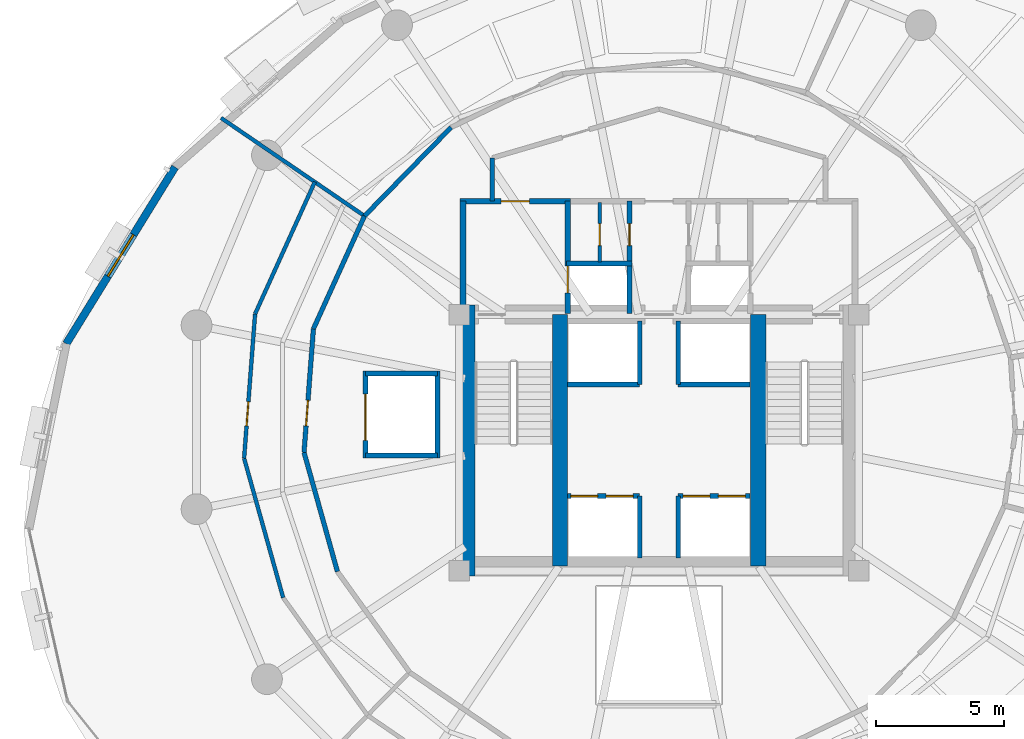
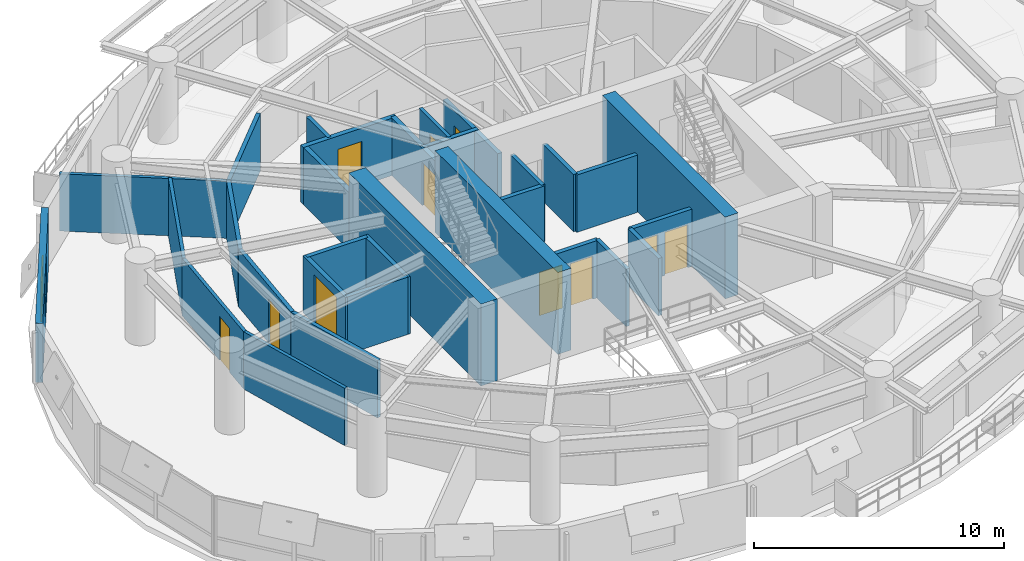
# One storey, part 10 of 15: 31 walls, 11 doors, 1 window, 12 openings.
"""IFC4 building model written with IfcOpenShell, lengths in metres."""

import ifcopenshell
import ifcopenshell.guid

model = None  # the IFC model being written
_history = None  # IfcOwnerHistory: only IFC2X3 demands one
_inside = {}  # id of a spatial element -> (the spatial element, [elements in it])
_under = {}  # id of a project, library or spatial element -> (it, [spatial elements below it])
_declared = {}  # id of a project -> (the project, [libraries it declares])
_typed = {}  # id of a type object -> (the type object, [elements of that type])
_made_of = {}  # id of a material, layer set ... -> (it, [elements and type objects made of it])


def new_model(schema):
    """Start an empty IFC model of exactly this schema.

    Asked for "IFC4X3", IfcOpenShell would pick the latest addendum, in which some entities
    have other attributes; the version numbers below select the first issue.
    IFC2X3 requires an IfcOwnerHistory on every rooted entity: one is made here for all.
    """
    global model, _history
    if schema == "IFC4X3":
        model = ifcopenshell.file(schema_version=(4, 3, 0, 0))
    else:
        model = ifcopenshell.file(schema=schema)
    _inside.clear()
    _under.clear()
    _declared.clear()
    _typed.clear()
    _made_of.clear()
    _history = None
    if model.schema == "IFC2X3":
        org = make("IfcOrganization", Name="unknown")
        user = make(
            "IfcPersonAndOrganization",
            ThePerson=make("IfcPerson", FamilyName="unknown"),
            TheOrganization=org,
        )
        app = make(
            "IfcApplication",
            ApplicationDeveloper=org,
            Version="unknown",
            ApplicationFullName="unknown",
            ApplicationIdentifier="unknown",
        )
        _history = make(
            "IfcOwnerHistory",
            OwningUser=user,
            OwningApplication=app,
            ChangeAction="ADDED",
            CreationDate=0,
        )
    return model


def make(cls, **values):
    """One entity of the class cls with the attributes given. An attribute that is None is left unset."""
    return model.create_entity(
        cls, **{name: value for name, value in values.items() if value is not None}
    )


def rooted(cls, **values):
    """An entity with a GlobalId (a new one), such as an element, a storey or a relation."""
    return make(cls, GlobalId=ifcopenshell.guid.new(), OwnerHistory=_history, **values)


def si_unit(unit_type, name, prefix=None):
    """IfcSIUnit, for example si_unit("LENGTHUNIT", "METRE", prefix="MILLI")."""
    return make("IfcSIUnit", UnitType=unit_type, Prefix=prefix, Name=name)


def assignment(units):
    """IfcUnitAssignment: the units of a project."""
    return None if units is None else make("IfcUnitAssignment", Units=units)


def point(xyz):
    """IfcCartesianPoint."""
    return None if xyz is None else make("IfcCartesianPoint", Coordinates=xyz)


def direction(xyz):
    """IfcDirection."""
    return None if xyz is None else make("IfcDirection", DirectionRatios=xyz)


def frame(location, z_axis=None, x_axis=None):
    """IfcAxis2Placement3D, a coordinate frame: its origin and axes. An axis left out is left unset."""
    return make(
        "IfcAxis2Placement3D",
        Location=point(location),
        Axis=direction(z_axis),
        RefDirection=direction(x_axis),
    )


def frame_2d(location, x_axis=None):
    """IfcAxis2Placement2D, a coordinate frame in the plane: its origin and x axis."""
    return make(
        "IfcAxis2Placement2D", Location=point(location), RefDirection=direction(x_axis)
    )


def origin():
    """The frame at (0, 0, 0) with its axes left unset."""
    return frame((0.0, 0.0, 0.0))


def place(relative_to, where):
    """IfcLocalPlacement: puts the frame where relative to a parent placement (None: the world)."""
    return make(
        "IfcLocalPlacement", PlacementRelTo=relative_to, RelativePlacement=where
    )


def context(
    kind, dimensions, precision=None, world=None, true_north=None, identifier=None
):
    """IfcGeometricRepresentationContext, for example the 3D "Model" context."""
    return make(
        "IfcGeometricRepresentationContext",
        ContextIdentifier=identifier,
        ContextType=kind,
        CoordinateSpaceDimension=dimensions,
        Precision=precision,
        WorldCoordinateSystem=world,
        TrueNorth=true_north,
    )


def subcontext(parent, identifier, kind, view, scale=None):
    """IfcGeometricRepresentationSubContext, for example "Body" below "Model"."""
    return make(
        "IfcGeometricRepresentationSubContext",
        ContextIdentifier=identifier,
        ContextType=kind,
        ParentContext=parent,
        TargetScale=scale,
        TargetView=view,
    )


def project(units=None, contexts=None):
    """IfcProject with its units and contexts."""
    return rooted(
        "IfcProject",
        Name="project",
        RepresentationContexts=contexts,
        UnitsInContext=assignment(units),
    )


def spatial(cls, under=None, at=None, **own):
    """A site, building, storey or space (cls), placed at a placement, below another one or the project."""
    s = rooted(cls, ObjectPlacement=at, **own)
    if under is not None:
        _under.setdefault(under.id(), (under, []))[1].append(s)
    return s


def profile(cls, at=None, kind="AREA", **sizes):
    """A parametric profile (cls). Its sizes go by their IFC names, for example OverallWidth=200.0."""
    return make(cls, ProfileType=kind, Position=at, **sizes)


def rectangle(**sizes):
    """IfcRectangleProfileDef."""
    return profile("IfcRectangleProfileDef", **sizes)


def extrude(swept, where, along, depth):
    """IfcExtrudedAreaSolid: the profile swept, set in the frame where, extruded along a direction by depth."""
    return make(
        "IfcExtrudedAreaSolid",
        SweptArea=swept,
        Position=where,
        ExtrudedDirection=direction(along),
        Depth=depth,
    )


def shape(context_of_items, identifier, shape_type, items):
    """IfcShapeRepresentation: the items that make up one representation, for example the "Body"."""
    return make(
        "IfcShapeRepresentation",
        ContextOfItems=context_of_items,
        RepresentationIdentifier=identifier,
        RepresentationType=shape_type,
        Items=items,
    )


def material(Name=None, Category=None):
    """IfcMaterial."""
    return make("IfcMaterial", Name=Name, Category=Category)


def layer(
    of_material, thickness, ventilated=None, Name=None, Category=None, Priority=None
):
    """IfcMaterialLayer: one layer of a wall or slab, of a material (None: an air gap)."""
    return make(
        "IfcMaterialLayer",
        Material=of_material,
        LayerThickness=thickness,
        IsVentilated=ventilated,
        Name=Name,
        Category=Category,
        Priority=Priority,
    )


def layer_set(layers, Name=None):
    """IfcMaterialLayerSet."""
    return make("IfcMaterialLayerSet", MaterialLayers=layers, LayerSetName=Name)


def made_of(thing, what):
    """Note that an element or type object is made of a material, layer set ...; save() writes the relation."""
    if what is not None:
        _made_of.setdefault(what.id(), (what, []))[1].append(thing)
    return thing


def type_object(cls, material=None, **own):
    """A type object (cls), such as IfcWallType, which elements share."""
    return made_of(rooted(cls, **own), material)


def element(
    cls,
    number,
    at=None,
    inside=None,
    cuts=None,
    type_object=None,
    material=None,
    context=None,
    identifier="Body",
    shape_type=None,
    held_by="IfcProductDefinitionShape",
    body=None,
    shapes=None,
    **own,
):
    """One element of the class cls, such as IfcWall. Its Tag is "e" and its number.

    at: its placement. inside: the storey or other place that contains it. cuts: it is an
    opening in that element (IfcRelVoidsElement). A single representation is given by context,
    identifier, shape_type and body (its items); several are given by shapes. held_by: the class
    of the entity that holds the representations. save() writes the other relations.
    """
    e = rooted(cls, Tag="e%d" % number, ObjectPlacement=at, **own)
    if body is not None:
        shapes = [shape(context, identifier, shape_type, body)]
    if shapes is not None:
        e.Representation = make(held_by, Representations=shapes)
    if inside is not None:
        _inside.setdefault(inside.id(), (inside, []))[1].append(e)
    if cuts is not None:
        rooted(
            "IfcRelVoidsElement", RelatingBuildingElement=cuts, RelatedOpeningElement=e
        )
    if type_object is not None:
        _typed.setdefault(type_object.id(), (type_object, []))[1].append(e)
    return made_of(e, material)


def fill(opening, filler):
    """IfcRelFillsElement: the door or window that sits in an opening."""
    return rooted(
        "IfcRelFillsElement",
        RelatingOpeningElement=opening,
        RelatedBuildingElement=filler,
    )


def aggregate(whole, parts):
    """IfcRelAggregates: a whole, such as a stair, and the parts it consists of."""
    return rooted("IfcRelAggregates", RelatingObject=whole, RelatedObjects=parts)


def save(model, path):
    """Write the relations noted so far, then the file.

    IfcRelAggregates (storeys below a building ...), IfcRelContainedInSpatialStructure (elements
    in a storey), IfcRelDefinesByType, IfcRelAssociatesMaterial and IfcRelDeclares: one each for
    every whole, place, type object, material and project.
    """
    for whole, parts in _under.values():
        aggregate(whole, parts)
    for where, things in _inside.values():
        rooted(
            "IfcRelContainedInSpatialStructure",
            RelatedElements=things,
            RelatingStructure=where,
        )
    for kind, things in _typed.values():
        rooted("IfcRelDefinesByType", RelatedObjects=things, RelatingType=kind)
    for what, things in _made_of.values():
        rooted("IfcRelAssociatesMaterial", RelatedObjects=things, RelatingMaterial=what)
    for by, libraries in _declared.values():
        rooted("IfcRelDeclares", RelatingContext=by, RelatedDefinitions=libraries)
    model.write(path)


model = new_model("IFC4")

# Units and contexts
model_context = context("Model", 3, precision=1e-05, world=origin(), true_north=direction((0.0, 1.0)))
body_context = subcontext(model_context, "Body", "Model", "MODEL_VIEW")
ifc_project = project(units=[si_unit("LENGTHUNIT", "METRE"), si_unit("AREAUNIT", "SQUARE_METRE"), si_unit("VOLUMEUNIT", "CUBIC_METRE"), si_unit("PLANEANGLEUNIT", "RADIAN"), si_unit("MASSUNIT", "GRAM", prefix="KILO"), si_unit("THERMODYNAMICTEMPERATUREUNIT", "KELVIN"), si_unit("POWERUNIT", "WATT")], contexts=[model_context])

# Site, building, storey
site_placement = place(None, origin())
site = spatial("IfcSite", under=ifc_project, at=site_placement, CompositionType="ELEMENT")
building_placement = place(site_placement, origin())
building = spatial("IfcBuilding", under=site, at=building_placement, Name="Ocrelia Relay Tower", CompositionType="ELEMENT")
storey_placement = place(building_placement, frame((0.0, 0.0, 141.800048828125)))
storey = spatial("IfcBuildingStorey", under=building, at=storey_placement, Name="L33", CompositionType="ELEMENT", Elevation=141.800048828125)

# Walls
ifc_material_1 = material(Name="Concrete C60/75", Category="concrete")
ifc_layer_1 = layer(ifc_material_1, 0.75, Name="Concrete C60/75")
ifc_layer_set_1 = layer_set([ifc_layer_1], Name="Concrete C60/75")
wall_type_1 = type_object("IfcWallType", Name="CW-CORE-750", PredefinedType="SHEAR", material=ifc_layer_set_1)
wall_1_placement = place(storey_placement, frame((26.447021484375, 19.81201171875, 0.0), z_axis=(0.0, 0.0, 1.0), x_axis=(0.0, 1.0, 0.0)))
element("IfcWall", 1, at=wall_1_placement, inside=storey, type_object=wall_type_1, Name="L33 Core Shear Wall W", PredefinedType="SHEAR", context=body_context, shape_type="SweptSolid", body=[
    extrude(rectangle(XDim=10.575927734375, YDim=0.75, at=frame_2d((5.2880859375, 0.0))), origin(), (0.0, 0.0, 1.0), 4.0),
])
for number, where, z_axis, x_axis, name in (
    (2, (30.137939453125, 20.18701171875, 0.0), (0.0, 0.0, 1.0), (0.0, 1.0, 0.0), "L33 Core Shear Wall SPW"),
    (3, (37.8720703125, 20.18701171875, 0.0), (0.0, 0.0, 1.0), (0.0, 1.0, 0.0), "L33 Core Shear Wall SPE"),
):
    element("IfcWall", number, at=place(storey_placement, frame(where, z_axis=z_axis, x_axis=x_axis)), inside=storey, type_object=wall_type_1, Name=name, PredefinedType="SHEAR", context=body_context, shape_type="SweptSolid", body=[
        extrude(rectangle(XDim=9.825927734375, YDim=0.60009765625, at=frame_2d((4.9130859375, 0.0))), origin(), (0.0, 0.0, 1.0), 4.0),
    ])
ifc_material_2 = material(Name="Gypsum Fireboard Partition EI60", Category="gypsum")
ifc_layer_2 = layer(ifc_material_2, 0.179931640625, Name="Gypsum Fireboard Partition EI60")
ifc_layer_set_2 = layer_set([ifc_layer_2], Name="Gypsum Fireboard Partition EI60")
wall_type_2 = type_object("IfcWallType", Name="W-CORR-EI60-180", PredefinedType="PARTITIONING", material=ifc_layer_set_2)
wall_2_placement = place(storey_placement, frame((27.5, 34.429931640625, 0.0), z_axis=(0.0, 0.0, 1.0), x_axis=(0.0, 1.0, 0.0)))
element("IfcWall", 4, at=wall_2_placement, inside=storey, type_object=wall_type_2, Name="L33 Smoke Lobby West Return", PredefinedType="PARTITIONING", context=body_context, shape_type="SweptSolid", body=[
    extrude(rectangle(XDim=1.69287109375, YDim=0.179931640625, at=frame_2d((0.846435546875, 0.0))), origin(), (0.0, 0.0, 1.0), 2.800048828125),
])
wall_3_placement = place(storey_placement, frame((25.886962890625, 37.311279296875, 0.0), z_axis=(0.0, 0.0, 1.0), x_axis=(-0.699031567745, -0.715090810524, 0.0)))
element("IfcWall", 5, at=wall_3_placement, inside=storey, type_object=wall_type_2, Name="L33 Optical Switching Hall A Corridor Partition 4", PredefinedType="PARTITIONING", context=body_context, shape_type="SweptSolid", body=[
    extrude(rectangle(XDim=4.83447265625, YDim=0.179931640625, at=frame_2d((2.417236328125, 0.0))), origin(), (0.0, 0.0, 1.0), 2.800048828125),
])
wall_4_placement = place(storey_placement, frame((22.507568359375, 33.854248046875, 0.0), z_axis=(0.0, 0.0, 1.0), x_axis=(-0.412295629085, -0.911050116205, 0.0)))
element("IfcWall", 6, at=wall_4_placement, inside=storey, type_object=wall_type_2, Name="L33 Executive Reading Study Corridor Partition 1", PredefinedType="PARTITIONING", context=body_context, shape_type="SweptSolid", body=[
    extrude(rectangle(XDim=4.834228515625, YDim=0.179931640625, at=frame_2d((2.4169921875, 0.0))), origin(), (0.0, 0.0, 1.0), 2.800048828125),
])

# Wall, opening, door
wall_5_placement = place(storey_placement, frame((20.514404296875, 29.449951171875, 0.0), z_axis=(0.0, 0.0, 1.0), x_axis=(-0.075854567244, -0.997118891922, 0.0)))
wall_5 = element("IfcWall", 7, at=wall_5_placement, inside=storey, type_object=wall_type_2, Name="L33 Executive Reading Study Corridor Partition 2", PredefinedType="PARTITIONING", context=body_context, shape_type="SweptSolid", body=[
    extrude(rectangle(XDim=4.834228515625, YDim=0.179931640625, at=frame_2d((2.4169921875, 0.0))), origin(), (0.0, 0.0, 1.0), 2.800048828125),
])
opening_1_placement = place(wall_5_placement, frame((2.80078125, 0.0, 0.0)))
opening_1 = element("IfcOpeningElement", 8, at=opening_1_placement, cuts=wall_5, Name="Opening D-RM100", PredefinedType="OPENING", context=body_context, shape_type="SweptSolid", body=[
    extrude(rectangle(XDim=1.0, YDim=2.14990234375, at=frame_2d((0.5, 1.074951171875))), frame((0.0, 0.10009765625, 0.0), z_axis=(0.0, -1.0, 0.0), x_axis=(1.0, 0.0, 0.0)), (0.0, 0.0, 1.0), 0.199951171875),
])
ifc_material_3 = material(Name="Acoustic oak veneer fire door", Category="wood")
door_type_1 = type_object("IfcDoorType", Name="DR-ROOM-FD60-1000", OperationType="NOTDEFINED", PredefinedType="DOOR", material=ifc_material_3)
door_1_placement = place(opening_1_placement, origin())
door_1 = element("IfcDoor", 9, at=door_1_placement, inside=storey, type_object=door_type_1, Name="L33 Executive Reading Study Entrance Door", OperationType="SINGLE_SWING_LEFT", OverallHeight=2.14990234375, OverallWidth=1.0, PredefinedType="DOOR", context=body_context, shape_type="SweptSolid", body=[
    extrude(rectangle(XDim=1.0, YDim=2.14990234375, at=frame_2d((0.5, 1.074951171875))), frame((0.0, 0.02490234375, 0.0), z_axis=(0.0, -1.0, 0.0), x_axis=(1.0, 0.0, 0.0)), (0.0, 0.0, 1.0), 0.050048828125),
])
fill(opening_1, door_1)

# Wall
wall_6_placement = place(storey_placement, frame((20.147705078125, 24.629638671875, 0.0), z_axis=(0.0, 0.0, 1.0), x_axis=(0.269721708831, -0.96293831567, 0.0)))
element("IfcWall", 10, at=wall_6_placement, inside=storey, type_object=wall_type_2, Name="L33 Executive Reading Study Corridor Partition 3", PredefinedType="PARTITIONING", context=body_context, shape_type="SweptSolid", body=[
    extrude(rectangle(XDim=4.83447265625, YDim=0.179931640625, at=frame_2d((2.417236328125, 0.0))), origin(), (0.0, 0.0, 1.0), 2.800048828125),
])

# Wall, opening, window
ifc_material_4 = material(Name="Precast concrete C40/50 with oxide terracotta", Category="masonry")
ifc_layer_3 = layer(ifc_material_4, 0.300048828125, Name="Precast concrete C40/50 with oxide terracotta")
ifc_layer_set_3 = layer_set([ifc_layer_3], Name="Precast concrete C40/50 with oxide terracotta")
wall_type_3 = type_object("IfcWallType", Name="W-EXT-TERR-300", PredefinedType="SOLIDWALL", material=ifc_layer_set_3)
wall_7_placement = place(storey_placement, frame((15.11376953125, 35.760498046875, 0.0), z_axis=(0.0, 0.0, 1.0), x_axis=(-0.524470936868, -0.851428350703, 0.0)))
wall_7 = element("IfcWall", 11, at=wall_7_placement, inside=storey, type_object=wall_type_3, Name="L33 Oxide Terracotta Facade Wall 07", PredefinedType="SOLIDWALL", context=body_context, shape_type="SweptSolid", body=[
    extrude(rectangle(XDim=8.094970703125, YDim=0.300048828125, at=frame_2d((4.04736328125, 0.0))), origin(), (0.0, 0.0, 1.0), 2.89990234375),
])
opening_2_placement = place(wall_7_placement, frame((3.097900390625, 0.0, 0.800048828125)))
opening_2 = element("IfcOpeningElement", 12, at=opening_2_placement, cuts=wall_7, Name="Opening W-06", PredefinedType="OPENING", context=body_context, shape_type="SweptSolid", body=[
    extrude(rectangle(XDim=1.89990234375, YDim=1.949951171875, at=frame_2d((0.949951171875, 0.97509765625))), frame((0.0, 0.16015625, 0.0), z_axis=(0.0, -1.0, 0.0), x_axis=(1.0, 0.0, 0.0)), (0.0, 0.0, 1.0), 0.320068359375),
])
ifc_material_5 = material(Name="Clear double-glazed low-E glass", Category="glass")
window_type = type_object("IfcWindowType", Name="WIN-Z2-1900x2100", PartitioningType="DOUBLE_PANEL_VERTICAL", PredefinedType="WINDOW", material=ifc_material_5)
window_placement = place(opening_2_placement, origin())
window = element("IfcWindow", 13, at=window_placement, inside=storey, type_object=window_type, Name="L33 Facade Module Window 07", OverallHeight=1.949951171875, OverallWidth=1.89990234375, PartitioningType="SINGLE_PANEL", PredefinedType="WINDOW", context=body_context, shape_type="SweptSolid", body=[
    extrude(rectangle(XDim=1.89990234375, YDim=1.949951171875, at=frame_2d((0.949951171875, 0.97509765625))), frame((0.0, 0.030029296875, 0.0), z_axis=(0.0, -1.0, 0.0), x_axis=(1.0, 0.0, 0.0)), (0.0, 0.0, 1.0), 0.06005859375),
])
fill(opening_2, window)

# Wall
ifc_material_6 = material(Name="Concrete C50/60", Category="concrete")
ifc_layer_4 = layer(ifc_material_6, 0.219970703125, Name="Concrete C50/60")
ifc_layer_set_4 = layer_set([ifc_layer_4], Name="Concrete C50/60")
wall_type_4 = type_object("IfcWallType", Name="W-FFL-EI120-220", PredefinedType="SOLIDWALL", material=ifc_layer_set_4)
wall_8_placement = place(storey_placement, frame((26.35009765625, 30.050048828125, 0.0), z_axis=(0.0, 0.0, 1.0), x_axis=(0.0, 1.0, 0.0)))
element("IfcWall", 14, at=wall_8_placement, inside=storey, type_object=wall_type_4, Name="L33 W Fire Service Lift Lobby West Wall", PredefinedType="SOLIDWALL", context=body_context, shape_type="SweptSolid", body=[
    extrude(rectangle(XDim=4.3798828125, YDim=0.219970703125, at=frame_2d((2.18994140625, 0.0))), origin(), (0.0, 0.0, 1.0), 2.800048828125),
])

# Wall, opening, door
wall_9_placement = place(storey_placement, frame((30.43994140625, 30.050048828125, 0.0), z_axis=(0.0, 0.0, 1.0), x_axis=(0.0, 1.0, 0.0)))
wall_9 = element("IfcWall", 15, at=wall_9_placement, inside=storey, type_object=wall_type_4, Name="L33 W Fire Service Lift Lobby East Wall", PredefinedType="SOLIDWALL", context=body_context, shape_type="SweptSolid", body=[
    extrude(rectangle(XDim=4.3798828125, YDim=0.219970703125, at=frame_2d((2.18994140625, 0.0))), origin(), (0.0, 0.0, 1.0), 2.800048828125),
])
opening_3_placement = place(wall_9_placement, frame((0.800048828125, 0.0, 0.0)))
opening_3 = element("IfcOpeningElement", 16, at=opening_3_placement, cuts=wall_9, Name="Opening LD-FFL1", PredefinedType="OPENING", context=body_context, shape_type="SweptSolid", body=[
    extrude(rectangle(XDim=1.050048828125, YDim=2.10009765625, at=frame_2d((0.52490234375, 1.050048828125))), frame((0.0, 0.1201171875, 0.0), z_axis=(0.0, -1.0, 0.0), x_axis=(1.0, 0.0, 0.0)), (0.0, 0.0, 1.0), 0.239990234375),
])
ifc_material_7 = material(Name="Brushed stainless steel S355 lift landing door", Category="steel")
door_type_2 = type_object("IfcDoorType", Name="DR-LIFT-LAND-1050", OperationType="DOUBLE_DOOR_SLIDING", PredefinedType="USERDEFINED", material=ifc_material_7)
door_2_placement = place(opening_3_placement, origin())
door_2 = element("IfcDoor", 17, at=door_2_placement, inside=storey, type_object=door_type_2, Name="L33 Firefighting Lift FFL1 Sliding Landing Door", ObjectType="LANDING DOOR", OperationType="DOUBLE_DOOR_SLIDING", OverallHeight=2.10009765625, OverallWidth=1.050048828125, PredefinedType="USERDEFINED", context=body_context, shape_type="SweptSolid", body=[
    extrude(rectangle(XDim=1.050048828125, YDim=2.10009765625, at=frame_2d((0.52490234375, 1.050048828125))), frame((0.0, 0.02490234375, 0.0), z_axis=(0.0, -1.0, 0.0), x_axis=(1.0, 0.0, 0.0)), (0.0, 0.0, 1.0), 0.050048828125),
])
fill(opening_3, door_2)

wall_10_placement = place(storey_placement, frame((26.239990234375, 34.429931640625, 0.0), z_axis=(0.0, 0.0, 1.0), x_axis=(1.0, 0.0, 0.0)))
wall_10 = element("IfcWall", 18, at=wall_10_placement, inside=storey, type_object=wall_type_4, Name="L33 W Fire Service Lift Lobby North Wall", PredefinedType="SOLIDWALL", context=body_context, shape_type="SweptSolid", body=[
    extrude(rectangle(XDim=4.31005859375, YDim=0.219970703125, at=frame_2d((2.155029296875, 0.0))), origin(), (0.0, 0.0, 1.0), 2.800048828125),
])
opening_4_placement = place(wall_10_placement, frame((1.60009765625, 0.0, 0.0)))
opening_4 = element("IfcOpeningElement", 19, at=opening_4_placement, cuts=wall_10, Name="Opening D-FD60", PredefinedType="OPENING", context=body_context, shape_type="SweptSolid", body=[
    extrude(rectangle(XDim=1.10009765625, YDim=2.14990234375, at=frame_2d((0.550048828125, 1.074951171875))), frame((0.0, 0.1201171875, 0.0), z_axis=(0.0, -1.0, 0.0), x_axis=(1.0, 0.0, 0.0)), (0.0, 0.0, 1.0), 0.239990234375),
])
ifc_material_8 = material(Name="Timber-core 60-min acoustic fire door", Category="wood")
door_type_3 = type_object("IfcDoorType", Name="DR-LOBBY-FD60-1100", OperationType="NOTDEFINED", PredefinedType="DOOR", material=ifc_material_8)
door_3_placement = place(opening_4_placement, origin())
door_3 = element("IfcDoor", 20, at=door_3_placement, inside=storey, type_object=door_type_3, Name="L33 W Fire Service Lift Lobby Exit Door", OperationType="SINGLE_SWING_RIGHT", OverallHeight=2.14990234375, OverallWidth=1.10009765625, PredefinedType="DOOR", context=body_context, shape_type="SweptSolid", body=[
    extrude(rectangle(XDim=1.10009765625, YDim=2.14990234375, at=frame_2d((0.550048828125, 1.074951171875))), frame((0.0, 0.02490234375, 0.0), z_axis=(0.0, -1.0, 0.0), x_axis=(1.0, 0.0, 0.0)), (0.0, 0.0, 1.0), 0.050048828125),
])
fill(opening_4, door_3)

ifc_material_9 = material(Name="Acoustic Fireboard Partition EI60", Category="gypsum")
ifc_layer_5 = layer(ifc_material_9, 0.14990234375, Name="Acoustic Fireboard Partition EI60")
ifc_layer_set_5 = layer_set([ifc_layer_5], Name="Acoustic Fireboard Partition EI60")
wall_type_5 = type_object("IfcWallType", Name="W-PART-150", PredefinedType="PARTITIONING", material=ifc_layer_set_5)
wall_11_placement = place(storey_placement, frame((31.68994140625, 32.050048828125, 0.0), z_axis=(0.0, 0.0, 1.0), x_axis=(0.0, 1.0, 0.0)))
wall_11 = element("IfcWall", 21, at=wall_11_placement, inside=storey, type_object=wall_type_5, Name="L33 West Core Support Partition", PredefinedType="PARTITIONING", context=body_context, shape_type="SweptSolid", body=[
    extrude(rectangle(XDim=2.329833984375, YDim=0.14990234375, at=frame_2d((1.1650390625, 0.0))), origin(), (0.0, 0.0, 1.0), 2.800048828125),
])
opening_5_placement = place(wall_11_placement, frame((0.64990234375, 0.0, 0.0)))
opening_5 = element("IfcOpeningElement", 22, at=opening_5_placement, cuts=wall_11, Name="Opening D-RS86", PredefinedType="OPENING", context=body_context, shape_type="SweptSolid", body=[
    extrude(rectangle(XDim=0.860107421875, YDim=2.050048828125, at=frame_2d((0.43017578125, 1.02490234375))), frame((0.0, 0.0849609375, 0.0), z_axis=(0.0, -1.0, 0.0), x_axis=(1.0, 0.0, 0.0)), (0.0, 0.0, 1.0), 0.169921875),
])
ifc_material_10 = material(Name="Steel S355 riser access fire door", Category="steel")
door_type_4 = type_object("IfcDoorType", Name="DR-RISER-TRAP-860", OperationType="NOTDEFINED", PredefinedType="TRAPDOOR", material=ifc_material_10)
door_4_placement = place(opening_5_placement, origin())
door_4 = element("IfcDoor", 23, at=door_4_placement, inside=storey, type_object=door_type_4, Name="L33 West Core Store Connecting Door", OperationType="SINGLE_SWING_LEFT", OverallHeight=2.050048828125, OverallWidth=0.860107421875, PredefinedType="TRAPDOOR", context=body_context, shape_type="SweptSolid", body=[
    extrude(rectangle(XDim=0.860107421875, YDim=2.050048828125, at=frame_2d((0.43017578125, 1.02490234375))), frame((0.0, 0.02490234375, 0.0), z_axis=(0.0, -1.0, 0.0), x_axis=(1.0, 0.0, 0.0)), (0.0, 0.0, 1.0), 0.050048828125),
])
fill(opening_5, door_4)

# Walls
wall_12_placement = place(storey_placement, frame((22.507568359375, 33.854248046875, 0.0), z_axis=(0.0, 0.0, 1.0), x_axis=(-0.825602146303, 0.564252688092, 0.0)))
element("IfcWall", 24, at=wall_12_placement, inside=storey, type_object=wall_type_5, Name="L33 Optical Switching Hall A Radial Partition", PredefinedType="PARTITIONING", context=body_context, shape_type="SweptSolid", body=[
    extrude(rectangle(XDim=6.780029296875, YDim=0.14990234375, at=frame_2d((3.39013671875, 0.0))), origin(), (0.0, 0.0, 1.0), 2.800048828125),
])
wall_13_placement = place(storey_placement, frame((20.5673828125, 35.180419921875, 0.0), z_axis=(0.0, 0.0, 1.0), x_axis=(-0.412314744527, -0.911041465272, 0.0)))
element("IfcWall", 25, at=wall_13_placement, inside=storey, type_object=wall_type_5, Name="L33 Perimeter Executive Reading Study Mid-Ring Partition 1", PredefinedType="PARTITIONING", context=body_context, shape_type="SweptSolid", body=[
    extrude(rectangle(XDim=5.650634765625, YDim=0.14990234375, at=frame_2d((2.8251953125, 0.0))), origin(), (0.0, 0.0, 1.0), 2.800048828125),
])

# Wall, opening, door
wall_14_placement = place(storey_placement, frame((18.237548828125, 30.032470703125, 0.0), z_axis=(0.0, 0.0, 1.0), x_axis=(-0.075827509625, -0.997120949927, 0.0)))
wall_14 = element("IfcWall", 26, at=wall_14_placement, inside=storey, type_object=wall_type_5, Name="L33 Perimeter Executive Reading Study Mid-Ring Partition 2", PredefinedType="PARTITIONING", context=body_context, shape_type="SweptSolid", body=[
    extrude(rectangle(XDim=5.650634765625, YDim=0.14990234375, at=frame_2d((2.8251953125, 0.0))), origin(), (0.0, 0.0, 1.0), 2.800048828125),
])
opening_6_placement = place(wall_14_placement, frame((3.435302734375, 0.0, 0.0)))
opening_6 = element("IfcOpeningElement", 27, at=opening_6_placement, cuts=wall_14, Name="Opening D-RM95", PredefinedType="OPENING", context=body_context, shape_type="SweptSolid", body=[
    extrude(rectangle(XDim=0.949951171875, YDim=2.14990234375, at=frame_2d((0.47509765625, 1.074951171875))), frame((0.0, 0.0849609375, 0.0), z_axis=(0.0, -1.0, 0.0), x_axis=(1.0, 0.0, 0.0)), (0.0, 0.0, 1.0), 0.169921875),
])
door_type_5 = type_object("IfcDoorType", Name="DR-ROOM-950", OperationType="NOTDEFINED", PredefinedType="DOOR", material=ifc_material_3)
door_5_placement = place(opening_6_placement, origin())
door_5 = element("IfcDoor", 28, at=door_5_placement, inside=storey, type_object=door_type_5, Name="L33 Perimeter Executive Reading Study Connecting Door", OperationType="SINGLE_SWING_RIGHT", OverallHeight=2.14990234375, OverallWidth=0.949951171875, PredefinedType="DOOR", context=body_context, shape_type="SweptSolid", body=[
    extrude(rectangle(XDim=0.949951171875, YDim=2.14990234375, at=frame_2d((0.47509765625, 1.074951171875))), frame((0.0, 0.02490234375, 0.0), z_axis=(0.0, -1.0, 0.0), x_axis=(1.0, 0.0, 0.0)), (0.0, 0.0, 1.0), 0.050048828125),
])
fill(opening_6, door_5)

# Walls
wall_15_placement = place(storey_placement, frame((17.80908203125, 24.398193359375, 0.0), z_axis=(0.0, 0.0, 1.0), x_axis=(0.269746918214, -0.962931254096, 0.0)))
element("IfcWall", 29, at=wall_15_placement, inside=storey, type_object=wall_type_5, Name="L33 Perimeter Executive Reading Study Mid-Ring Partition 3", PredefinedType="PARTITIONING", context=body_context, shape_type="SweptSolid", body=[
    extrude(rectangle(XDim=5.650390625, YDim=0.14990234375, at=frame_2d((2.8251953125, 0.0))), origin(), (0.0, 0.0, 1.0), 2.800048828125),
])
ifc_layer_6 = layer(ifc_material_6, 0.199951171875, Name="Concrete C50/60")
ifc_layer_set_6 = layer_set([ifc_layer_6], Name="Concrete C50/60")
wall_type_6 = type_object("IfcWallType", Name="W-SHAFT-EI120-200", PredefinedType="SOLIDWALL", material=ifc_layer_set_6)
wall_16_placement = place(storey_placement, frame((30.39990234375, 32.0, 0.0), z_axis=(0.0, 0.0, 1.0), x_axis=(1.0, 0.0, 0.0)))
element("IfcWall", 30, at=wall_16_placement, inside=storey, type_object=wall_type_6, Name="L33 FFL1 Hoistway North Wall", PredefinedType="SOLIDWALL", context=body_context, shape_type="SweptSolid", body=[
    extrude(rectangle(XDim=2.550048828125, YDim=0.199951171875, at=frame_2d((1.27490234375, 0.0))), origin(), (0.0, 0.0, 1.0), 2.800048828125),
])

# Wall, opening, door
wall_17_placement = place(storey_placement, frame((32.85009765625, 30.050048828125, 0.0), z_axis=(0.0, 0.0, 1.0), x_axis=(0.0, 1.0, 0.0)))
wall_17 = element("IfcWall", 31, at=wall_17_placement, inside=storey, type_object=wall_type_6, Name="L33 FFL1 and Service Vestibule Wall", PredefinedType="SOLIDWALL", context=body_context, shape_type="SweptSolid", body=[
    extrude(rectangle(XDim=4.3798828125, YDim=0.199951171875, at=frame_2d((2.18994140625, 0.0))), origin(), (0.0, 0.0, 1.0), 2.800048828125),
])
opening_7_placement = place(wall_17_placement, frame((2.64990234375, 0.0, 0.0)))
opening_7 = element("IfcOpeningElement", 32, at=opening_7_placement, cuts=wall_17, Name="Opening D-RS86", PredefinedType="OPENING", context=body_context, shape_type="SweptSolid", body=[
    extrude(rectangle(XDim=0.860107421875, YDim=2.050048828125, at=frame_2d((0.43017578125, 1.02490234375))), frame((0.0, 0.10986328125, 0.0), z_axis=(0.0, -1.0, 0.0), x_axis=(1.0, 0.0, 0.0)), (0.0, 0.0, 1.0), 0.219970703125),
])
door_6_placement = place(opening_7_placement, origin())
door_6 = element("IfcDoor", 33, at=door_6_placement, inside=storey, type_object=door_type_4, Name="L33 Core Support Room W Door", OperationType="SINGLE_SWING_LEFT", OverallHeight=2.050048828125, OverallWidth=0.860107421875, PredefinedType="TRAPDOOR", context=body_context, shape_type="SweptSolid", body=[
    extrude(rectangle(XDim=0.860107421875, YDim=2.050048828125, at=frame_2d((0.43017578125, 1.02490234375))), frame((0.0, 0.02490234375, 0.0), z_axis=(0.0, -1.0, 0.0), x_axis=(1.0, 0.0, 0.0)), (0.0, 0.0, 1.0), 0.050048828125),
])
fill(opening_7, door_6)

# Wall, openings, doors
wall_18_placement = place(storey_placement, frame((30.43994140625, 22.919921875, 0.0), z_axis=(0.0, 0.0, 1.0), x_axis=(1.0, 0.0, 0.0)))
wall_18 = element("IfcWall", 34, at=wall_18_placement, inside=storey, type_object=wall_type_6, Name="L33 Low-Rise Lift Hoistway Wall W", PredefinedType="SOLIDWALL", context=body_context, shape_type="SweptSolid", body=[
    extrude(rectangle(XDim=2.81005859375, YDim=0.199951171875, at=frame_2d((1.405029296875, 0.0))), origin(), (0.0, 0.0, 1.0), 2.800048828125),
])
opening_8_placement = place(wall_18_placement, frame((0.1201171875, 0.0, 0.0)))
opening_8 = element("IfcOpeningElement", 35, at=opening_8_placement, cuts=wall_18, Name="Opening LD-PL1", PredefinedType="OPENING", context=body_context, shape_type="SweptSolid", body=[
    extrude(rectangle(XDim=1.050048828125, YDim=2.10009765625, at=frame_2d((0.52490234375, 1.050048828125))), frame((0.0, 0.10986328125, 0.0), z_axis=(0.0, -1.0, 0.0), x_axis=(1.0, 0.0, 0.0)), (0.0, 0.0, 1.0), 0.219970703125),
])
opening_9_placement = place(wall_18_placement, frame((1.5, 0.0, 0.0)))
opening_9 = element("IfcOpeningElement", 36, at=opening_9_placement, cuts=wall_18, Name="Opening LD-PL2", PredefinedType="OPENING", context=body_context, shape_type="SweptSolid", body=[
    extrude(rectangle(XDim=1.050048828125, YDim=2.10009765625, at=frame_2d((0.52490234375, 1.050048828125))), frame((0.0, 0.10986328125, 0.0), z_axis=(0.0, -1.0, 0.0), x_axis=(1.0, 0.0, 0.0)), (0.0, 0.0, 1.0), 0.219970703125),
])
door_7_placement = place(opening_8_placement, origin())
door_7 = element("IfcDoor", 37, at=door_7_placement, inside=storey, type_object=door_type_2, Name="L33 Passenger Lift PL1 Sliding Landing Door", ObjectType="LANDING DOOR", OperationType="DOUBLE_DOOR_SLIDING", OverallHeight=2.10009765625, OverallWidth=1.050048828125, PredefinedType="USERDEFINED", context=body_context, shape_type="SweptSolid", body=[
    extrude(rectangle(XDim=1.050048828125, YDim=2.10009765625, at=frame_2d((0.52490234375, 1.050048828125))), frame((0.0, 0.02490234375, 0.0), z_axis=(0.0, -1.0, 0.0), x_axis=(1.0, 0.0, 0.0)), (0.0, 0.0, 1.0), 0.050048828125),
])
fill(opening_8, door_7)
door_8_placement = place(opening_9_placement, origin())
door_8 = element("IfcDoor", 38, at=door_8_placement, inside=storey, type_object=door_type_2, Name="L33 Passenger Lift PL2 Sliding Landing Door", ObjectType="LANDING DOOR", OperationType="DOUBLE_DOOR_SLIDING", OverallHeight=2.10009765625, OverallWidth=1.050048828125, PredefinedType="USERDEFINED", context=body_context, shape_type="SweptSolid", body=[
    extrude(rectangle(XDim=1.050048828125, YDim=2.10009765625, at=frame_2d((0.52490234375, 1.050048828125))), frame((0.0, 0.02490234375, 0.0), z_axis=(0.0, -1.0, 0.0), x_axis=(1.0, 0.0, 0.0)), (0.0, 0.0, 1.0), 0.050048828125),
])
fill(opening_9, door_8)

# Wall
wall_19_placement = place(storey_placement, frame((33.25, 20.5, 0.0), z_axis=(0.0, 0.0, 1.0), x_axis=(0.0, 1.0, 0.0)))
element("IfcWall", 39, at=wall_19_placement, inside=storey, type_object=wall_type_6, Name="L33 Low-Rise Lift Throat Wall W", PredefinedType="SOLIDWALL", context=body_context, shape_type="SweptSolid", body=[
    extrude(rectangle(XDim=2.419921875, YDim=0.179931640625, at=frame_2d((1.2099609375, 0.0))), origin(), (0.0, 0.0, 1.0), 2.800048828125),
])

# Wall, openings, doors
wall_20_placement = place(storey_placement, frame((34.75, 22.919921875, 0.0), z_axis=(0.0, 0.0, 1.0), x_axis=(1.0, 0.0, 0.0)))
wall_20 = element("IfcWall", 40, at=wall_20_placement, inside=storey, type_object=wall_type_6, Name="L33 Low-Rise Lift Hoistway Wall E", PredefinedType="SOLIDWALL", context=body_context, shape_type="SweptSolid", body=[
    extrude(rectangle(XDim=2.81005859375, YDim=0.199951171875, at=frame_2d((1.405029296875, 0.0))), origin(), (0.0, 0.0, 1.0), 2.800048828125),
])
opening_10_placement = place(wall_20_placement, frame((0.18994140625, 0.0, 0.0)))
opening_10 = element("IfcOpeningElement", 41, at=opening_10_placement, cuts=wall_20, Name="Opening LD-PL3", PredefinedType="OPENING", context=body_context, shape_type="SweptSolid", body=[
    extrude(rectangle(XDim=1.050048828125, YDim=2.10009765625, at=frame_2d((0.52490234375, 1.050048828125))), frame((0.0, 0.10986328125, 0.0), z_axis=(0.0, -1.0, 0.0), x_axis=(1.0, 0.0, 0.0)), (0.0, 0.0, 1.0), 0.219970703125),
])
opening_11_placement = place(wall_20_placement, frame((1.570068359375, 0.0, 0.0)))
opening_11 = element("IfcOpeningElement", 42, at=opening_11_placement, cuts=wall_20, Name="Opening LD-PL4", PredefinedType="OPENING", context=body_context, shape_type="SweptSolid", body=[
    extrude(rectangle(XDim=1.050048828125, YDim=2.10009765625, at=frame_2d((0.52490234375, 1.050048828125))), frame((0.0, 0.10986328125, 0.0), z_axis=(0.0, -1.0, 0.0), x_axis=(1.0, 0.0, 0.0)), (0.0, 0.0, 1.0), 0.219970703125),
])
door_9_placement = place(opening_10_placement, origin())
door_9 = element("IfcDoor", 43, at=door_9_placement, inside=storey, type_object=door_type_2, Name="L33 Passenger Lift PL3 Sliding Landing Door", ObjectType="LANDING DOOR", OperationType="DOUBLE_DOOR_SLIDING", OverallHeight=2.10009765625, OverallWidth=1.050048828125, PredefinedType="USERDEFINED", context=body_context, shape_type="SweptSolid", body=[
    extrude(rectangle(XDim=1.050048828125, YDim=2.10009765625, at=frame_2d((0.52490234375, 1.050048828125))), frame((0.0, 0.02490234375, 0.0), z_axis=(0.0, -1.0, 0.0), x_axis=(1.0, 0.0, 0.0)), (0.0, 0.0, 1.0), 0.050048828125),
])
fill(opening_10, door_9)
door_10_placement = place(opening_11_placement, origin())
door_10 = element("IfcDoor", 44, at=door_10_placement, inside=storey, type_object=door_type_2, Name="L33 Passenger Lift PL4 Sliding Landing Door", ObjectType="LANDING DOOR", OperationType="DOUBLE_DOOR_SLIDING", OverallHeight=2.10009765625, OverallWidth=1.050048828125, PredefinedType="USERDEFINED", context=body_context, shape_type="SweptSolid", body=[
    extrude(rectangle(XDim=1.050048828125, YDim=2.10009765625, at=frame_2d((0.52490234375, 1.050048828125))), frame((0.0, 0.02490234375, 0.0), z_axis=(0.0, -1.0, 0.0), x_axis=(1.0, 0.0, 0.0)), (0.0, 0.0, 1.0), 0.050048828125),
])
fill(opening_11, door_10)

# Walls
wall_21_placement = place(storey_placement, frame((34.75, 20.5, 0.0), z_axis=(0.0, 0.0, 1.0), x_axis=(0.0, 1.0, 0.0)))
element("IfcWall", 45, at=wall_21_placement, inside=storey, type_object=wall_type_6, Name="L33 Low-Rise Lift Throat Wall E", PredefinedType="SOLIDWALL", context=body_context, shape_type="SweptSolid", body=[
    extrude(rectangle(XDim=2.419921875, YDim=0.179931640625, at=frame_2d((1.2099609375, 0.0))), origin(), (0.0, 0.0, 1.0), 2.800048828125),
])
wall_22_placement = place(storey_placement, frame((30.43994140625, 27.280029296875, 0.0), z_axis=(0.0, 0.0, 1.0), x_axis=(1.0, 0.0, 0.0)))
element("IfcWall", 46, at=wall_22_placement, inside=storey, type_object=wall_type_6, Name="L33 High-Rise Lift Hoistway Wall W", PredefinedType="SOLIDWALL", context=body_context, shape_type="SweptSolid", body=[
    extrude(rectangle(XDim=2.81005859375, YDim=0.199951171875, at=frame_2d((1.405029296875, 0.0))), origin(), (0.0, 0.0, 1.0), 2.800048828125),
])
wall_23_placement = place(storey_placement, frame((33.25, 27.280029296875, 0.0), z_axis=(0.0, 0.0, 1.0), x_axis=(0.0, 1.0, 0.0)))
element("IfcWall", 47, at=wall_23_placement, inside=storey, type_object=wall_type_6, Name="L33 High-Rise Lift Throat Wall W", PredefinedType="SOLIDWALL", context=body_context, shape_type="SweptSolid", body=[
    extrude(rectangle(XDim=2.469970703125, YDim=0.179931640625, at=frame_2d((1.23486328125, 0.0))), origin(), (0.0, 0.0, 1.0), 2.800048828125),
])
wall_24_placement = place(storey_placement, frame((34.75, 27.280029296875, 0.0), z_axis=(0.0, 0.0, 1.0), x_axis=(1.0, 0.0, 0.0)))
element("IfcWall", 48, at=wall_24_placement, inside=storey, type_object=wall_type_6, Name="L33 High-Rise Lift Hoistway Wall E", PredefinedType="SOLIDWALL", context=body_context, shape_type="SweptSolid", body=[
    extrude(rectangle(XDim=2.81005859375, YDim=0.199951171875, at=frame_2d((1.405029296875, 0.0))), origin(), (0.0, 0.0, 1.0), 2.800048828125),
])
wall_25_placement = place(storey_placement, frame((34.75, 27.280029296875, 0.0), z_axis=(0.0, 0.0, 1.0), x_axis=(0.0, 1.0, 0.0)))
element("IfcWall", 49, at=wall_25_placement, inside=storey, type_object=wall_type_6, Name="L33 High-Rise Lift Throat Wall E", PredefinedType="SOLIDWALL", context=body_context, shape_type="SweptSolid", body=[
    extrude(rectangle(XDim=2.469970703125, YDim=0.179931640625, at=frame_2d((1.23486328125, 0.0))), origin(), (0.0, 0.0, 1.0), 2.800048828125),
])

# Wall, opening, door
wall_26_placement = place(storey_placement, frame((22.550048828125, 24.39990234375, 0.0), z_axis=(0.0, 0.0, 1.0), x_axis=(0.0, 1.0, 0.0)))
wall_26 = element("IfcWall", 50, at=wall_26_placement, inside=storey, type_object=wall_type_6, Name="L33 Goods Lift Shaft West Wall", PredefinedType="SOLIDWALL", context=body_context, shape_type="SweptSolid", body=[
    extrude(rectangle(XDim=3.400146484375, YDim=0.199951171875, at=frame_2d((1.7001953125, 0.0))), origin(), (0.0, 0.0, 1.0), 2.800048828125),
])
opening_12_placement = place(wall_26_placement, frame((0.699951171875, 0.0, 0.0)))
opening_12 = element("IfcOpeningElement", 51, at=opening_12_placement, cuts=wall_26, Name="Opening LD-GL1", PredefinedType="OPENING", context=body_context, shape_type="SweptSolid", body=[
    extrude(rectangle(XDim=1.800048828125, YDim=2.39990234375, at=frame_2d((0.89990234375, 1.199951171875))), frame((0.0, 0.10986328125, 0.0), z_axis=(0.0, -1.0, 0.0), x_axis=(1.0, 0.0, 0.0)), (0.0, 0.0, 1.0), 0.219970703125),
])
ifc_material_11 = material(Name="Heavy-duty stainless steel S355 goods landing door", Category="steel")
door_type_6 = type_object("IfcDoorType", Name="DR-GOODS-LAND-1800", OperationType="DOUBLE_DOOR_SLIDING", PredefinedType="USERDEFINED", material=ifc_material_11)
door_11_placement = place(opening_12_placement, origin())
door_11 = element("IfcDoor", 52, at=door_11_placement, inside=storey, type_object=door_type_6, Name="L33 Goods Lift GL1 Sliding Landing Door", ObjectType="LANDING DOOR", OperationType="DOUBLE_DOOR_SLIDING", OverallHeight=2.39990234375, OverallWidth=1.800048828125, PredefinedType="USERDEFINED", context=body_context, shape_type="SweptSolid", body=[
    extrude(rectangle(XDim=1.800048828125, YDim=2.39990234375, at=frame_2d((0.89990234375, 1.199951171875))), frame((0.0, 0.02490234375, 0.0), z_axis=(0.0, -1.0, 0.0), x_axis=(1.0, 0.0, 0.0)), (0.0, 0.0, 1.0), 0.050048828125),
])
fill(opening_12, door_11)

# Walls
wall_27_placement = place(storey_placement, frame((25.35009765625, 24.39990234375, 0.0), z_axis=(0.0, 0.0, 1.0), x_axis=(0.0, 1.0, 0.0)))
element("IfcWall", 53, at=wall_27_placement, inside=storey, type_object=wall_type_6, Name="L33 Goods Lift Shaft E Wall", PredefinedType="SOLIDWALL", context=body_context, shape_type="SweptSolid", body=[
    extrude(rectangle(XDim=3.400146484375, YDim=0.199951171875, at=frame_2d((1.7001953125, 0.0))), origin(), (0.0, 0.0, 1.0), 2.800048828125),
])
for number, where, z_axis, x_axis, name in (
    (54, (22.550048828125, 24.5, 0.0), (0.0, 0.0, 1.0), (1.0, 0.0, 0.0), "L33 Goods Lift Shaft S Wall"),
    (55, (22.550048828125, 27.699951171875, 0.0), (0.0, 0.0, 1.0), (1.0, 0.0, 0.0), "L33 Goods Lift Shaft N Wall"),
):
    element("IfcWall", number, at=place(storey_placement, frame(where, z_axis=z_axis, x_axis=x_axis)), inside=storey, type_object=wall_type_6, Name=name, PredefinedType="SOLIDWALL", context=body_context, shape_type="SweptSolid", body=[
        extrude(rectangle(XDim=2.800048828125, YDim=0.199951171875, at=frame_2d((1.39990234375, 0.0))), origin(), (0.0, 0.0, 1.0), 2.800048828125),
    ])

save(model, "model.ifc")
